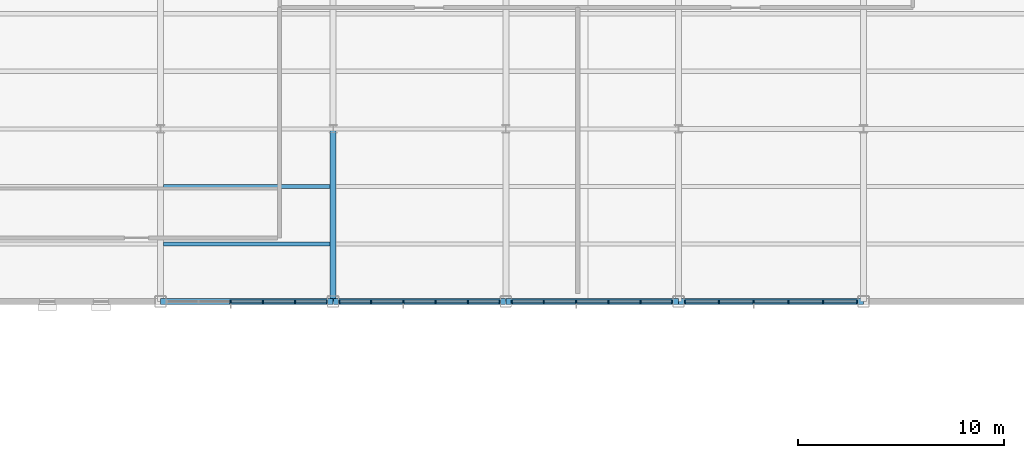
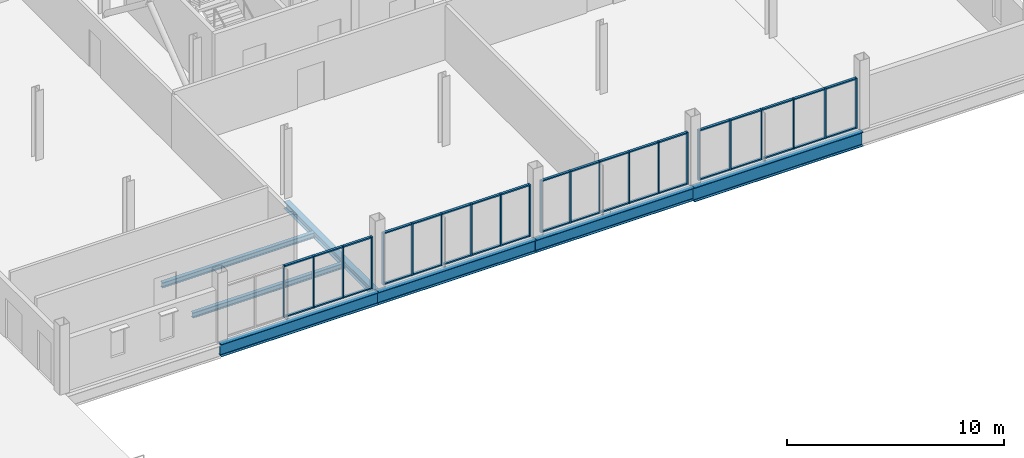
# One storey, part 40 of 77: 58 members, 7 beams, 4 elements without a shape of their own.
"""IFC4 building model written with IfcOpenShell, lengths in metres."""

from ifc_helpers import new_model, si_unit, direction, frame, origin, origin_2d, place, context, subcontext, project, spatial, rectangle, i_section, extrude, material, layer, layer_set, material_profile, profile_set, type_object, element, aggregate, save


model = new_model("IFC4")

# Units and contexts
model_context = context("Model", 3, precision=1e-05, world=origin(), true_north=direction((0.0, 1.0)))
body_context = subcontext(model_context, "Body", "Model", "MODEL_VIEW")
ifc_project = project(units=[si_unit("LENGTHUNIT", "METRE"), si_unit("AREAUNIT", "SQUARE_METRE"), si_unit("VOLUMEUNIT", "CUBIC_METRE"), si_unit("PLANEANGLEUNIT", "RADIAN"), si_unit("MASSUNIT", "GRAM", prefix="KILO")], contexts=[model_context])

# Site, building, storey
site_placement = place(None, origin())
site = spatial("IfcSite", under=ifc_project, at=site_placement, CompositionType="ELEMENT")
building_placement = place(site_placement, origin())
building = spatial("IfcBuilding", under=site, at=building_placement, Name="Yukiwa Park Conservatory and Herbarium", CompositionType="ELEMENT")
storey_placement = place(building_placement, frame((0.0, 0.0, 13.199951171875)))
storey = spatial("IfcBuildingStorey", under=building, at=storey_placement, Name="L03", CompositionType="ELEMENT", Elevation=13.199951171875)

# Beams
ifc_material_1 = material(Name="Steel Q355D", Category="steel")
ifc_material_profile_1 = material_profile(ifc_material_1, i_section(OverallWidth=0.300048828125, OverallDepth=0.389892578125, WebThickness=0.010009765625, FlangeThickness=0.01611328125, FilletRadius=0.02001953125, at=origin_2d()), Name="HM 390x300x10x16")
ifc_profile_set_1 = profile_set([ifc_material_profile_1], Name="Steel Q355D")
beam_type_1 = type_object("IfcBeamType", Name="BM-GRD-HM390", PredefinedType="BEAM", material=ifc_profile_set_1)
beam_1_placement = place(storey_placement, frame((133.199951171875, 78.006103515625, -0.4599609375), z_axis=(0.0, 1.0, 0.0), x_axis=(-1.0, 0.0, 0.0)))
element("IfcBeam", 1, at=beam_1_placement, inside=storey, type_object=beam_type_1, Name="L03 grid girder Y-97", PredefinedType="BEAM", context=body_context, shape_type="SweptSolid", body=[
    extrude(i_section(OverallWidth=0.300048828125, OverallDepth=0.389892578125, WebThickness=0.010009765625, FlangeThickness=0.01611328125, FilletRadius=0.02001953125, at=origin_2d()), origin(), (0.0, 0.0, 1.0), 8.387939453125),
])
ifc_material_2 = material(Name="Steel Q355D", Category="steel")
ifc_material_profile_2 = material_profile(ifc_material_2, i_section(OverallWidth=0.199951171875, OverallDepth=0.2939453125, WebThickness=0.008056640625, FlangeThickness=0.011962890625, FilletRadius=0.01806640625, at=origin_2d()), Name="HM 294x200x8x12")
ifc_profile_set_2 = profile_set([ifc_material_profile_2], Name="Steel Q355D")
beam_type_2 = type_object("IfcBeamType", Name="BM-JST-HM294", PredefinedType="JOIST", material=ifc_profile_set_2)
for number, where, z_axis, x_axis, name in (
    (2, (124.946044921875, 80.800048828125, -0.411865234375), (1.0, 0.0, 0.0), (0.0, 1.0, 0.0), "L03 composite floor joist 53"),
    (3, (124.946044921875, 83.60009765625, -0.411865234375), (1.0, 0.0, 0.0), (0.0, 1.0, 0.0), "L03 composite floor joist 54"),
):
    element("IfcBeam", number, at=place(storey_placement, frame(where, z_axis=z_axis, x_axis=x_axis)), inside=storey, type_object=beam_type_2, Name=name, PredefinedType="JOIST", context=body_context, shape_type="SweptSolid", body=[
        extrude(i_section(OverallWidth=0.199951171875, OverallDepth=0.2939453125, WebThickness=0.008056640625, FlangeThickness=0.011962890625, FilletRadius=0.01806640625, at=origin_2d()), origin(), (0.0, 0.0, 1.0), 8.10791015625),
    ])
ifc_material_3 = material(Name="Steel Q355D", Category="steel")
ifc_material_profile_3 = material_profile(ifc_material_3, i_section(OverallWidth=0.300048828125, OverallDepth=0.69189453125, WebThickness=0.012939453125, FlangeThickness=0.02001953125, FilletRadius=0.028076171875, at=origin_2d()), Name="HN 692x300x13x20")
ifc_profile_set_3 = profile_set([ifc_material_profile_3], Name="Steel Q355D")
beam_type_3 = type_object("IfcBeamType", Name="BM-SPN-HN550", PredefinedType="SPANDREL", material=ifc_profile_set_3)
beam_2_placement = place(storey_placement, frame((124.805908203125, 78.0, -0.61083984375), z_axis=(1.0, 0.0, 0.0), x_axis=(0.0, 1.0, 0.0)))
element("IfcBeam", 4, at=beam_2_placement, inside=storey, type_object=beam_type_3, Name="L03 spandrel beam X-31", PredefinedType="SPANDREL", context=body_context, shape_type="SweptSolid", body=[
    extrude(i_section(OverallWidth=0.300048828125, OverallDepth=0.69189453125, WebThickness=0.012939453125, FlangeThickness=0.02001953125, FilletRadius=0.028076171875, at=origin_2d()), origin(), (0.0, 0.0, 1.0), 8.38818359375),
])
for number, where, z_axis, x_axis, name in (
    (5, (133.2060546875, 78.0, -0.61083984375), (1.0, 0.0, 0.0), (0.0, 1.0, 0.0), "L03 spandrel beam X-32"),
    (6, (141.60595703125, 78.0, -0.61083984375), (1.0, 0.0, 0.0), (0.0, 1.0, 0.0), "L03 spandrel beam X-33"),
):
    element("IfcBeam", number, at=place(storey_placement, frame(where, z_axis=z_axis, x_axis=x_axis)), inside=storey, type_object=beam_type_3, Name=name, PredefinedType="SPANDREL", context=body_context, shape_type="SweptSolid", body=[
        extrude(i_section(OverallWidth=0.300048828125, OverallDepth=0.69189453125, WebThickness=0.012939453125, FlangeThickness=0.02001953125, FilletRadius=0.028076171875, at=origin_2d()), origin(), (0.0, 0.0, 1.0), 8.387939453125),
    ])
ifc_material_4 = material(Name="Steel Q355D", Category="steel")
ifc_material_profile_4 = material_profile(ifc_material_4, i_section(OverallWidth=0.300048828125, OverallDepth=0.7919921875, WebThickness=0.013916015625, FlangeThickness=0.02197265625, FilletRadius=0.028076171875, at=origin_2d()), Name="HN 792x300x14x22")
ifc_profile_set_4 = profile_set([ifc_material_profile_4], Name="Steel Q355D")
beam_type_4 = type_object("IfcBeamType", Name="BM-SPN-HN600", PredefinedType="SPANDREL", material=ifc_profile_set_4)
beam_3_placement = place(storey_placement, frame((150.006103515625, 78.0, -0.660888671875), z_axis=(1.0, 0.0, 0.0), x_axis=(0.0, 1.0, 0.0)))
element("IfcBeam", 7, at=beam_3_placement, inside=storey, type_object=beam_type_4, Name="L03 spandrel beam X-34", PredefinedType="SPANDREL", context=body_context, shape_type="SweptSolid", body=[
    extrude(i_section(OverallWidth=0.300048828125, OverallDepth=0.7919921875, WebThickness=0.013916015625, FlangeThickness=0.02197265625, FilletRadius=0.028076171875, at=origin_2d()), origin(), (0.0, 0.0, 1.0), 8.98779296875),
])

# Curtain wall, members
ifc_material_5 = material(Name="Triple Low-E Insulated Glass", Category="glass")
ifc_layer = layer(ifc_material_5, 0.199951171875)
ifc_layer_set = layer_set([ifc_layer], Name="Triple Low-E Insulated Glass")
curtain_wall_type = type_object("IfcCurtainWallType", Name="CW-VISITOR-1600", PredefinedType="NOTDEFINED", material=ifc_layer_set)
curtain_wall_1_placement = place(storey_placement, origin())
curtain_wall_1 = element("IfcCurtainWall", 8, at=curtain_wall_1_placement, inside=storey, type_object=curtain_wall_type, Name="L03 unitised curtain wall CW-L03-068", PredefinedType="NOTDEFINED")
ifc_material_6 = material(Name="Anodised Aluminium", Category="aluminium")
member_type_1 = type_object("IfcMemberType", Name="MB-CW-MUL-70X150", PredefinedType="MULLION", material=ifc_material_6)
member_1_placement = place(storey_placement, frame((128.215087890625, 78.0, 0.0), z_axis=(0.0, 0.0, 1.0), x_axis=(1.0, 0.0, 0.0)))
member_1 = element("IfcMember", 9, at=member_1_placement, type_object=member_type_1, Name="CW-L03-068 mullion 3", PredefinedType="MULLION", context=body_context, shape_type="SweptSolid", body=[
    extrude(rectangle(XDim=0.070068359375, YDim=0.14990234375, at=origin_2d()), origin(), (0.0, 0.0, 1.0), 2.927978515625),
])
member_2_placement = place(storey_placement, frame((129.784912109375, 78.0, 0.0), z_axis=(0.0, 0.0, 1.0), x_axis=(1.0, 0.0, 0.0)))
member_2 = element("IfcMember", 10, at=member_2_placement, type_object=member_type_1, Name="CW-L03-068 mullion 4", PredefinedType="MULLION", context=body_context, shape_type="SweptSolid", body=[
    extrude(rectangle(XDim=0.070068359375, YDim=0.14990234375, at=origin_2d()), origin(), (0.0, 0.0, 1.0), 2.927978515625),
])
member_3_placement = place(storey_placement, frame((131.35498046875, 78.0, 0.0), z_axis=(0.0, 0.0, 1.0), x_axis=(1.0, 0.0, 0.0)))
member_3 = element("IfcMember", 11, at=member_3_placement, type_object=member_type_1, Name="CW-L03-068 mullion 5", PredefinedType="MULLION", context=body_context, shape_type="SweptSolid", body=[
    extrude(rectangle(XDim=0.070068359375, YDim=0.14990234375, at=origin_2d()), origin(), (0.0, 0.0, 1.0), 2.927978515625),
])
member_4_placement = place(storey_placement, frame((132.889892578125, 78.0, 0.0), z_axis=(0.0, 0.0, 1.0), x_axis=(1.0, 0.0, 0.0)))
member_4 = element("IfcMember", 12, at=member_4_placement, type_object=member_type_1, Name="CW-L03-068 mullion 6", PredefinedType="MULLION", context=body_context, shape_type="SweptSolid", body=[
    extrude(rectangle(XDim=0.070068359375, YDim=0.14990234375, at=origin_2d()), origin(), (0.0, 0.0, 1.0), 2.927978515625),
])

curtain_wall_2_placement = place(storey_placement, origin())
curtain_wall_2 = element("IfcCurtainWall", 13, at=curtain_wall_2_placement, inside=storey, type_object=curtain_wall_type, Name="L03 unitised curtain wall CW-L03-069", PredefinedType="NOTDEFINED")
member_5_placement = place(storey_placement, frame((133.510009765625, 78.0, 0.0), z_axis=(0.0, 0.0, 1.0), x_axis=(1.0, 0.0, 0.0)))
member_5 = element("IfcMember", 14, at=member_5_placement, type_object=member_type_1, Name="CW-L03-069 mullion 1", PredefinedType="MULLION", context=body_context, shape_type="SweptSolid", body=[
    extrude(rectangle(XDim=0.070068359375, YDim=0.14990234375, at=origin_2d()), origin(), (0.0, 0.0, 1.0), 2.927978515625),
])
member_6_placement = place(storey_placement, frame((135.044921875, 78.0, 0.0), z_axis=(0.0, 0.0, 1.0), x_axis=(1.0, 0.0, 0.0)))
member_6 = element("IfcMember", 15, at=member_6_placement, type_object=member_type_1, Name="CW-L03-069 mullion 2", PredefinedType="MULLION", context=body_context, shape_type="SweptSolid", body=[
    extrude(rectangle(XDim=0.070068359375, YDim=0.14990234375, at=origin_2d()), origin(), (0.0, 0.0, 1.0), 2.927978515625),
])
member_7_placement = place(storey_placement, frame((136.614990234375, 78.0, 0.0), z_axis=(0.0, 0.0, 1.0), x_axis=(1.0, 0.0, 0.0)))
member_7 = element("IfcMember", 16, at=member_7_placement, type_object=member_type_1, Name="CW-L03-069 mullion 3", PredefinedType="MULLION", context=body_context, shape_type="SweptSolid", body=[
    extrude(rectangle(XDim=0.070068359375, YDim=0.14990234375, at=origin_2d()), origin(), (0.0, 0.0, 1.0), 2.927978515625),
])
member_8_placement = place(storey_placement, frame((138.18505859375, 78.0, 0.0), z_axis=(0.0, 0.0, 1.0), x_axis=(1.0, 0.0, 0.0)))
member_8 = element("IfcMember", 17, at=member_8_placement, type_object=member_type_1, Name="CW-L03-069 mullion 4", PredefinedType="MULLION", context=body_context, shape_type="SweptSolid", body=[
    extrude(rectangle(XDim=0.070068359375, YDim=0.14990234375, at=origin_2d()), origin(), (0.0, 0.0, 1.0), 2.927978515625),
])
member_9_placement = place(storey_placement, frame((139.7548828125, 78.0, 0.0), z_axis=(0.0, 0.0, 1.0), x_axis=(1.0, 0.0, 0.0)))
member_9 = element("IfcMember", 18, at=member_9_placement, type_object=member_type_1, Name="CW-L03-069 mullion 5", PredefinedType="MULLION", context=body_context, shape_type="SweptSolid", body=[
    extrude(rectangle(XDim=0.070068359375, YDim=0.14990234375, at=origin_2d()), origin(), (0.0, 0.0, 1.0), 2.927978515625),
])
member_10_placement = place(storey_placement, frame((141.2900390625, 78.0, 0.0), z_axis=(0.0, 0.0, 1.0), x_axis=(1.0, 0.0, 0.0)))
member_10 = element("IfcMember", 19, at=member_10_placement, type_object=member_type_1, Name="CW-L03-069 mullion 6", PredefinedType="MULLION", context=body_context, shape_type="SweptSolid", body=[
    extrude(rectangle(XDim=0.070068359375, YDim=0.14990234375, at=origin_2d()), origin(), (0.0, 0.0, 1.0), 2.927978515625),
])

curtain_wall_3_placement = place(storey_placement, origin())
curtain_wall_3 = element("IfcCurtainWall", 20, at=curtain_wall_3_placement, inside=storey, type_object=curtain_wall_type, Name="L03 unitised curtain wall CW-L03-070", PredefinedType="NOTDEFINED")
member_11_placement = place(storey_placement, frame((141.909912109375, 78.0, 0.0), z_axis=(0.0, 0.0, 1.0), x_axis=(1.0, 0.0, 0.0)))
member_11 = element("IfcMember", 21, at=member_11_placement, type_object=member_type_1, Name="CW-L03-070 mullion 1", PredefinedType="MULLION", context=body_context, shape_type="SweptSolid", body=[
    extrude(rectangle(XDim=0.070068359375, YDim=0.14990234375, at=origin_2d()), origin(), (0.0, 0.0, 1.0), 2.927978515625),
])
member_12_placement = place(storey_placement, frame((143.445068359375, 78.0, 0.0), z_axis=(0.0, 0.0, 1.0), x_axis=(1.0, 0.0, 0.0)))
member_12 = element("IfcMember", 22, at=member_12_placement, type_object=member_type_1, Name="CW-L03-070 mullion 2", PredefinedType="MULLION", context=body_context, shape_type="SweptSolid", body=[
    extrude(rectangle(XDim=0.070068359375, YDim=0.14990234375, at=origin_2d()), origin(), (0.0, 0.0, 1.0), 2.927978515625),
])
member_13_placement = place(storey_placement, frame((145.014892578125, 78.0, 0.0), z_axis=(0.0, 0.0, 1.0), x_axis=(1.0, 0.0, 0.0)))
member_13 = element("IfcMember", 23, at=member_13_placement, type_object=member_type_1, Name="CW-L03-070 mullion 3", PredefinedType="MULLION", context=body_context, shape_type="SweptSolid", body=[
    extrude(rectangle(XDim=0.070068359375, YDim=0.14990234375, at=origin_2d()), origin(), (0.0, 0.0, 1.0), 2.927978515625),
])
member_14_placement = place(storey_placement, frame((146.5849609375, 78.0, 0.0), z_axis=(0.0, 0.0, 1.0), x_axis=(1.0, 0.0, 0.0)))
member_14 = element("IfcMember", 24, at=member_14_placement, type_object=member_type_1, Name="CW-L03-070 mullion 4", PredefinedType="MULLION", context=body_context, shape_type="SweptSolid", body=[
    extrude(rectangle(XDim=0.070068359375, YDim=0.14990234375, at=origin_2d()), origin(), (0.0, 0.0, 1.0), 2.927978515625),
])
member_15_placement = place(storey_placement, frame((148.155029296875, 78.0, 0.0), z_axis=(0.0, 0.0, 1.0), x_axis=(1.0, 0.0, 0.0)))
member_15 = element("IfcMember", 25, at=member_15_placement, type_object=member_type_1, Name="CW-L03-070 mullion 5", PredefinedType="MULLION", context=body_context, shape_type="SweptSolid", body=[
    extrude(rectangle(XDim=0.070068359375, YDim=0.14990234375, at=origin_2d()), origin(), (0.0, 0.0, 1.0), 2.927978515625),
])
member_16_placement = place(storey_placement, frame((149.68994140625, 78.0, 0.0), z_axis=(0.0, 0.0, 1.0), x_axis=(1.0, 0.0, 0.0)))
member_16 = element("IfcMember", 26, at=member_16_placement, type_object=member_type_1, Name="CW-L03-070 mullion 6", PredefinedType="MULLION", context=body_context, shape_type="SweptSolid", body=[
    extrude(rectangle(XDim=0.070068359375, YDim=0.14990234375, at=origin_2d()), origin(), (0.0, 0.0, 1.0), 2.927978515625),
])

curtain_wall_4_placement = place(storey_placement, origin())
curtain_wall_4 = element("IfcCurtainWall", 27, at=curtain_wall_4_placement, inside=storey, type_object=curtain_wall_type, Name="L03 unitised curtain wall CW-L03-071", PredefinedType="NOTDEFINED")
member_17_placement = place(storey_placement, frame((150.31005859375, 78.0, 0.0), z_axis=(0.0, 0.0, 1.0), x_axis=(1.0, 0.0, 0.0)))
member_17 = element("IfcMember", 28, at=member_17_placement, type_object=member_type_1, Name="CW-L03-071 mullion 1", PredefinedType="MULLION", context=body_context, shape_type="SweptSolid", body=[
    extrude(rectangle(XDim=0.070068359375, YDim=0.14990234375, at=origin_2d()), origin(), (0.0, 0.0, 1.0), 2.827880859375),
])
member_18_placement = place(storey_placement, frame((151.965087890625, 78.0, 0.0), z_axis=(0.0, 0.0, 1.0), x_axis=(1.0, 0.0, 0.0)))
member_18 = element("IfcMember", 29, at=member_18_placement, type_object=member_type_1, Name="CW-L03-071 mullion 2", PredefinedType="MULLION", context=body_context, shape_type="SweptSolid", body=[
    extrude(rectangle(XDim=0.070068359375, YDim=0.14990234375, at=origin_2d()), origin(), (0.0, 0.0, 1.0), 2.827880859375),
])
member_19_placement = place(storey_placement, frame((153.655029296875, 78.0, 0.0), z_axis=(0.0, 0.0, 1.0), x_axis=(1.0, 0.0, 0.0)))
member_19 = element("IfcMember", 30, at=member_19_placement, type_object=member_type_1, Name="CW-L03-071 mullion 3", PredefinedType="MULLION", context=body_context, shape_type="SweptSolid", body=[
    extrude(rectangle(XDim=0.070068359375, YDim=0.14990234375, at=origin_2d()), origin(), (0.0, 0.0, 1.0), 2.827880859375),
])
member_20_placement = place(storey_placement, frame((155.344970703125, 78.0, 0.0), z_axis=(0.0, 0.0, 1.0), x_axis=(1.0, 0.0, 0.0)))
member_20 = element("IfcMember", 31, at=member_20_placement, type_object=member_type_1, Name="CW-L03-071 mullion 4", PredefinedType="MULLION", context=body_context, shape_type="SweptSolid", body=[
    extrude(rectangle(XDim=0.070068359375, YDim=0.14990234375, at=origin_2d()), origin(), (0.0, 0.0, 1.0), 2.827880859375),
])
member_21_placement = place(storey_placement, frame((157.034912109375, 78.0, 0.0), z_axis=(0.0, 0.0, 1.0), x_axis=(1.0, 0.0, 0.0)))
member_21 = element("IfcMember", 32, at=member_21_placement, type_object=member_type_1, Name="CW-L03-071 mullion 5", PredefinedType="MULLION", context=body_context, shape_type="SweptSolid", body=[
    extrude(rectangle(XDim=0.070068359375, YDim=0.14990234375, at=origin_2d()), origin(), (0.0, 0.0, 1.0), 2.827880859375),
])
member_22_placement = place(storey_placement, frame((158.68994140625, 78.0, 0.0), z_axis=(0.0, 0.0, 1.0), x_axis=(1.0, 0.0, 0.0)))
member_22 = element("IfcMember", 33, at=member_22_placement, type_object=member_type_1, Name="CW-L03-071 mullion 6", PredefinedType="MULLION", context=body_context, shape_type="SweptSolid", body=[
    extrude(rectangle(XDim=0.070068359375, YDim=0.14990234375, at=origin_2d()), origin(), (0.0, 0.0, 1.0), 2.827880859375),
])

# Member
ifc_material_7 = material(Name="Anodised Aluminium", Category="aluminium")
member_type_2 = type_object("IfcMemberType", Name="MB-CW-TRN-70X130", PredefinedType="USERDEFINED", material=ifc_material_7)
member_23_placement = place(storey_placement, frame((129.0, 78.0, 0.0), z_axis=(0.0, 0.0, 1.0), x_axis=(1.0, 0.0, 0.0)))
member_23 = element("IfcMember", 34, at=member_23_placement, type_object=member_type_2, Name="CW-L03-068 transom 3.1", ObjectType="TRANSOM", PredefinedType="USERDEFINED", context=body_context, shape_type="SweptSolid", body=[
    extrude(rectangle(XDim=1.5, YDim=0.1298828125, at=origin_2d()), origin(), (0.0, 0.0, 1.0), 0.070068359375),
])

member_24_placement = place(storey_placement, frame((129.0, 78.0, 2.85791015625), z_axis=(0.0, 0.0, 1.0), x_axis=(1.0, 0.0, 0.0)))
member_24 = element("IfcMember", 35, at=member_24_placement, type_object=member_type_2, Name="CW-L03-068 transom 3.2", ObjectType="TRANSOM", PredefinedType="USERDEFINED", context=body_context, shape_type="SweptSolid", body=[
    extrude(rectangle(XDim=1.5, YDim=0.1298828125, at=origin_2d()), origin(), (0.0, 0.0, 1.0), 0.070068359375),
])

member_25_placement = place(storey_placement, frame((130.570068359375, 78.0, 0.0), z_axis=(0.0, 0.0, 1.0), x_axis=(1.0, 0.0, 0.0)))
member_25 = element("IfcMember", 36, at=member_25_placement, type_object=member_type_2, Name="CW-L03-068 transom 4.1", ObjectType="TRANSOM", PredefinedType="USERDEFINED", context=body_context, shape_type="SweptSolid", body=[
    extrude(rectangle(XDim=1.5, YDim=0.1298828125, at=origin_2d()), origin(), (0.0, 0.0, 1.0), 0.070068359375),
])

member_26_placement = place(storey_placement, frame((130.570068359375, 78.0, 2.85791015625), z_axis=(0.0, 0.0, 1.0), x_axis=(1.0, 0.0, 0.0)))
member_26 = element("IfcMember", 37, at=member_26_placement, type_object=member_type_2, Name="CW-L03-068 transom 4.2", ObjectType="TRANSOM", PredefinedType="USERDEFINED", context=body_context, shape_type="SweptSolid", body=[
    extrude(rectangle(XDim=1.5, YDim=0.1298828125, at=origin_2d()), origin(), (0.0, 0.0, 1.0), 0.070068359375),
])

member_27_placement = place(storey_placement, frame((132.139892578125, 78.0, 0.0), z_axis=(0.0, 0.0, 1.0), x_axis=(1.0, 0.0, 0.0)))
member_27 = element("IfcMember", 38, at=member_27_placement, type_object=member_type_2, Name="CW-L03-068 transom 5.1", ObjectType="TRANSOM", PredefinedType="USERDEFINED", context=body_context, shape_type="SweptSolid", body=[
    extrude(rectangle(XDim=1.5, YDim=0.1298828125, at=origin_2d()), origin(), (0.0, 0.0, 1.0), 0.070068359375),
])

member_28_placement = place(storey_placement, frame((132.139892578125, 78.0, 2.85791015625), z_axis=(0.0, 0.0, 1.0), x_axis=(1.0, 0.0, 0.0)))
member_28 = element("IfcMember", 39, at=member_28_placement, type_object=member_type_2, Name="CW-L03-068 transom 5.2", ObjectType="TRANSOM", PredefinedType="USERDEFINED", context=body_context, shape_type="SweptSolid", body=[
    extrude(rectangle(XDim=1.5, YDim=0.1298828125, at=origin_2d()), origin(), (0.0, 0.0, 1.0), 0.070068359375),
])

aggregate(curtain_wall_1, [member_1, member_2, member_3, member_4, member_23, member_24, member_25, member_26, member_27, member_28])

member_29_placement = place(storey_placement, frame((134.260009765625, 78.0, 0.0), z_axis=(0.0, 0.0, 1.0), x_axis=(1.0, 0.0, 0.0)))
member_29 = element("IfcMember", 40, at=member_29_placement, type_object=member_type_2, Name="CW-L03-069 transom 1.1", ObjectType="TRANSOM", PredefinedType="USERDEFINED", context=body_context, shape_type="SweptSolid", body=[
    extrude(rectangle(XDim=1.5, YDim=0.1298828125, at=origin_2d()), origin(), (0.0, 0.0, 1.0), 0.070068359375),
])

member_30_placement = place(storey_placement, frame((134.260009765625, 78.0, 2.85791015625), z_axis=(0.0, 0.0, 1.0), x_axis=(1.0, 0.0, 0.0)))
member_30 = element("IfcMember", 41, at=member_30_placement, type_object=member_type_2, Name="CW-L03-069 transom 1.2", ObjectType="TRANSOM", PredefinedType="USERDEFINED", context=body_context, shape_type="SweptSolid", body=[
    extrude(rectangle(XDim=1.5, YDim=0.1298828125, at=origin_2d()), origin(), (0.0, 0.0, 1.0), 0.070068359375),
])

member_31_placement = place(storey_placement, frame((135.830078125, 78.0, 0.0), z_axis=(0.0, 0.0, 1.0), x_axis=(1.0, 0.0, 0.0)))
member_31 = element("IfcMember", 42, at=member_31_placement, type_object=member_type_2, Name="CW-L03-069 transom 2.1", ObjectType="TRANSOM", PredefinedType="USERDEFINED", context=body_context, shape_type="SweptSolid", body=[
    extrude(rectangle(XDim=1.5, YDim=0.1298828125, at=origin_2d()), origin(), (0.0, 0.0, 1.0), 0.070068359375),
])

member_32_placement = place(storey_placement, frame((135.830078125, 78.0, 2.85791015625), z_axis=(0.0, 0.0, 1.0), x_axis=(1.0, 0.0, 0.0)))
member_32 = element("IfcMember", 43, at=member_32_placement, type_object=member_type_2, Name="CW-L03-069 transom 2.2", ObjectType="TRANSOM", PredefinedType="USERDEFINED", context=body_context, shape_type="SweptSolid", body=[
    extrude(rectangle(XDim=1.5, YDim=0.1298828125, at=origin_2d()), origin(), (0.0, 0.0, 1.0), 0.070068359375),
])

member_33_placement = place(storey_placement, frame((137.39990234375, 78.0, 0.0), z_axis=(0.0, 0.0, 1.0), x_axis=(1.0, 0.0, 0.0)))
member_33 = element("IfcMember", 44, at=member_33_placement, type_object=member_type_2, Name="CW-L03-069 transom 3.1", ObjectType="TRANSOM", PredefinedType="USERDEFINED", context=body_context, shape_type="SweptSolid", body=[
    extrude(rectangle(XDim=1.5, YDim=0.1298828125, at=origin_2d()), origin(), (0.0, 0.0, 1.0), 0.070068359375),
])

member_34_placement = place(storey_placement, frame((137.39990234375, 78.0, 2.85791015625), z_axis=(0.0, 0.0, 1.0), x_axis=(1.0, 0.0, 0.0)))
member_34 = element("IfcMember", 45, at=member_34_placement, type_object=member_type_2, Name="CW-L03-069 transom 3.2", ObjectType="TRANSOM", PredefinedType="USERDEFINED", context=body_context, shape_type="SweptSolid", body=[
    extrude(rectangle(XDim=1.5, YDim=0.1298828125, at=origin_2d()), origin(), (0.0, 0.0, 1.0), 0.070068359375),
])

member_35_placement = place(storey_placement, frame((138.969970703125, 78.0, 0.0), z_axis=(0.0, 0.0, 1.0), x_axis=(1.0, 0.0, 0.0)))
member_35 = element("IfcMember", 46, at=member_35_placement, type_object=member_type_2, Name="CW-L03-069 transom 4.1", ObjectType="TRANSOM", PredefinedType="USERDEFINED", context=body_context, shape_type="SweptSolid", body=[
    extrude(rectangle(XDim=1.5, YDim=0.1298828125, at=origin_2d()), origin(), (0.0, 0.0, 1.0), 0.070068359375),
])

member_36_placement = place(storey_placement, frame((138.969970703125, 78.0, 2.85791015625), z_axis=(0.0, 0.0, 1.0), x_axis=(1.0, 0.0, 0.0)))
member_36 = element("IfcMember", 47, at=member_36_placement, type_object=member_type_2, Name="CW-L03-069 transom 4.2", ObjectType="TRANSOM", PredefinedType="USERDEFINED", context=body_context, shape_type="SweptSolid", body=[
    extrude(rectangle(XDim=1.5, YDim=0.1298828125, at=origin_2d()), origin(), (0.0, 0.0, 1.0), 0.070068359375),
])

member_37_placement = place(storey_placement, frame((140.5400390625, 78.0, 0.0), z_axis=(0.0, 0.0, 1.0), x_axis=(1.0, 0.0, 0.0)))
member_37 = element("IfcMember", 48, at=member_37_placement, type_object=member_type_2, Name="CW-L03-069 transom 5.1", ObjectType="TRANSOM", PredefinedType="USERDEFINED", context=body_context, shape_type="SweptSolid", body=[
    extrude(rectangle(XDim=1.5, YDim=0.1298828125, at=origin_2d()), origin(), (0.0, 0.0, 1.0), 0.070068359375),
])

member_38_placement = place(storey_placement, frame((140.5400390625, 78.0, 2.85791015625), z_axis=(0.0, 0.0, 1.0), x_axis=(1.0, 0.0, 0.0)))
member_38 = element("IfcMember", 49, at=member_38_placement, type_object=member_type_2, Name="CW-L03-069 transom 5.2", ObjectType="TRANSOM", PredefinedType="USERDEFINED", context=body_context, shape_type="SweptSolid", body=[
    extrude(rectangle(XDim=1.5, YDim=0.1298828125, at=origin_2d()), origin(), (0.0, 0.0, 1.0), 0.070068359375),
])

aggregate(curtain_wall_2, [member_5, member_6, member_7, member_8, member_9, member_10, member_29, member_30, member_31, member_32, member_33, member_34, member_35, member_36, member_37, member_38])

member_39_placement = place(storey_placement, frame((142.659912109375, 78.0, 0.0), z_axis=(0.0, 0.0, 1.0), x_axis=(1.0, 0.0, 0.0)))
member_39 = element("IfcMember", 50, at=member_39_placement, type_object=member_type_2, Name="CW-L03-070 transom 1.1", ObjectType="TRANSOM", PredefinedType="USERDEFINED", context=body_context, shape_type="SweptSolid", body=[
    extrude(rectangle(XDim=1.5, YDim=0.1298828125, at=origin_2d()), origin(), (0.0, 0.0, 1.0), 0.070068359375),
])

member_40_placement = place(storey_placement, frame((142.659912109375, 78.0, 2.85791015625), z_axis=(0.0, 0.0, 1.0), x_axis=(1.0, 0.0, 0.0)))
member_40 = element("IfcMember", 51, at=member_40_placement, type_object=member_type_2, Name="CW-L03-070 transom 1.2", ObjectType="TRANSOM", PredefinedType="USERDEFINED", context=body_context, shape_type="SweptSolid", body=[
    extrude(rectangle(XDim=1.5, YDim=0.1298828125, at=origin_2d()), origin(), (0.0, 0.0, 1.0), 0.070068359375),
])

member_41_placement = place(storey_placement, frame((144.22998046875, 78.0, 0.0), z_axis=(0.0, 0.0, 1.0), x_axis=(1.0, 0.0, 0.0)))
member_41 = element("IfcMember", 52, at=member_41_placement, type_object=member_type_2, Name="CW-L03-070 transom 2.1", ObjectType="TRANSOM", PredefinedType="USERDEFINED", context=body_context, shape_type="SweptSolid", body=[
    extrude(rectangle(XDim=1.5, YDim=0.1298828125, at=origin_2d()), origin(), (0.0, 0.0, 1.0), 0.070068359375),
])

member_42_placement = place(storey_placement, frame((144.22998046875, 78.0, 2.85791015625), z_axis=(0.0, 0.0, 1.0), x_axis=(1.0, 0.0, 0.0)))
member_42 = element("IfcMember", 53, at=member_42_placement, type_object=member_type_2, Name="CW-L03-070 transom 2.2", ObjectType="TRANSOM", PredefinedType="USERDEFINED", context=body_context, shape_type="SweptSolid", body=[
    extrude(rectangle(XDim=1.5, YDim=0.1298828125, at=origin_2d()), origin(), (0.0, 0.0, 1.0), 0.070068359375),
])

member_43_placement = place(storey_placement, frame((145.800048828125, 78.0, 0.0), z_axis=(0.0, 0.0, 1.0), x_axis=(1.0, 0.0, 0.0)))
member_43 = element("IfcMember", 54, at=member_43_placement, type_object=member_type_2, Name="CW-L03-070 transom 3.1", ObjectType="TRANSOM", PredefinedType="USERDEFINED", context=body_context, shape_type="SweptSolid", body=[
    extrude(rectangle(XDim=1.5, YDim=0.1298828125, at=origin_2d()), origin(), (0.0, 0.0, 1.0), 0.070068359375),
])

member_44_placement = place(storey_placement, frame((145.800048828125, 78.0, 2.85791015625), z_axis=(0.0, 0.0, 1.0), x_axis=(1.0, 0.0, 0.0)))
member_44 = element("IfcMember", 55, at=member_44_placement, type_object=member_type_2, Name="CW-L03-070 transom 3.2", ObjectType="TRANSOM", PredefinedType="USERDEFINED", context=body_context, shape_type="SweptSolid", body=[
    extrude(rectangle(XDim=1.5, YDim=0.1298828125, at=origin_2d()), origin(), (0.0, 0.0, 1.0), 0.070068359375),
])

member_45_placement = place(storey_placement, frame((147.3701171875, 78.0, 0.0), z_axis=(0.0, 0.0, 1.0), x_axis=(1.0, 0.0, 0.0)))
member_45 = element("IfcMember", 56, at=member_45_placement, type_object=member_type_2, Name="CW-L03-070 transom 4.1", ObjectType="TRANSOM", PredefinedType="USERDEFINED", context=body_context, shape_type="SweptSolid", body=[
    extrude(rectangle(XDim=1.5, YDim=0.1298828125, at=origin_2d()), origin(), (0.0, 0.0, 1.0), 0.070068359375),
])

member_46_placement = place(storey_placement, frame((147.3701171875, 78.0, 2.85791015625), z_axis=(0.0, 0.0, 1.0), x_axis=(1.0, 0.0, 0.0)))
member_46 = element("IfcMember", 57, at=member_46_placement, type_object=member_type_2, Name="CW-L03-070 transom 4.2", ObjectType="TRANSOM", PredefinedType="USERDEFINED", context=body_context, shape_type="SweptSolid", body=[
    extrude(rectangle(XDim=1.5, YDim=0.1298828125, at=origin_2d()), origin(), (0.0, 0.0, 1.0), 0.070068359375),
])

member_47_placement = place(storey_placement, frame((148.93994140625, 78.0, 0.0), z_axis=(0.0, 0.0, 1.0), x_axis=(1.0, 0.0, 0.0)))
member_47 = element("IfcMember", 58, at=member_47_placement, type_object=member_type_2, Name="CW-L03-070 transom 5.1", ObjectType="TRANSOM", PredefinedType="USERDEFINED", context=body_context, shape_type="SweptSolid", body=[
    extrude(rectangle(XDim=1.5, YDim=0.1298828125, at=origin_2d()), origin(), (0.0, 0.0, 1.0), 0.070068359375),
])

member_48_placement = place(storey_placement, frame((148.93994140625, 78.0, 2.85791015625), z_axis=(0.0, 0.0, 1.0), x_axis=(1.0, 0.0, 0.0)))
member_48 = element("IfcMember", 59, at=member_48_placement, type_object=member_type_2, Name="CW-L03-070 transom 5.2", ObjectType="TRANSOM", PredefinedType="USERDEFINED", context=body_context, shape_type="SweptSolid", body=[
    extrude(rectangle(XDim=1.5, YDim=0.1298828125, at=origin_2d()), origin(), (0.0, 0.0, 1.0), 0.070068359375),
])

aggregate(curtain_wall_3, [member_11, member_12, member_13, member_14, member_15, member_16, member_39, member_40, member_41, member_42, member_43, member_44, member_45, member_46, member_47, member_48])

member_49_placement = place(storey_placement, frame((151.1201171875, 78.0, 0.0), z_axis=(0.0, 0.0, 1.0), x_axis=(1.0, 0.0, 0.0)))
member_49 = element("IfcMember", 60, at=member_49_placement, type_object=member_type_2, Name="CW-L03-071 transom 1.1", ObjectType="TRANSOM", PredefinedType="USERDEFINED", context=body_context, shape_type="SweptSolid", body=[
    extrude(rectangle(XDim=1.6201171875, YDim=0.1298828125, at=origin_2d()), origin(), (0.0, 0.0, 1.0), 0.070068359375),
])

member_50_placement = place(storey_placement, frame((151.1201171875, 78.0, 2.7578125), z_axis=(0.0, 0.0, 1.0), x_axis=(1.0, 0.0, 0.0)))
member_50 = element("IfcMember", 61, at=member_50_placement, type_object=member_type_2, Name="CW-L03-071 transom 1.2", ObjectType="TRANSOM", PredefinedType="USERDEFINED", context=body_context, shape_type="SweptSolid", body=[
    extrude(rectangle(XDim=1.6201171875, YDim=0.1298828125, at=origin_2d()), origin(), (0.0, 0.0, 1.0), 0.070068359375),
])

member_51_placement = place(storey_placement, frame((152.81005859375, 78.0, 0.0), z_axis=(0.0, 0.0, 1.0), x_axis=(1.0, 0.0, 0.0)))
member_51 = element("IfcMember", 62, at=member_51_placement, type_object=member_type_2, Name="CW-L03-071 transom 2.1", ObjectType="TRANSOM", PredefinedType="USERDEFINED", context=body_context, shape_type="SweptSolid", body=[
    extrude(rectangle(XDim=1.6201171875, YDim=0.1298828125, at=origin_2d()), origin(), (0.0, 0.0, 1.0), 0.070068359375),
])

member_52_placement = place(storey_placement, frame((152.81005859375, 78.0, 2.7578125), z_axis=(0.0, 0.0, 1.0), x_axis=(1.0, 0.0, 0.0)))
member_52 = element("IfcMember", 63, at=member_52_placement, type_object=member_type_2, Name="CW-L03-071 transom 2.2", ObjectType="TRANSOM", PredefinedType="USERDEFINED", context=body_context, shape_type="SweptSolid", body=[
    extrude(rectangle(XDim=1.6201171875, YDim=0.1298828125, at=origin_2d()), origin(), (0.0, 0.0, 1.0), 0.070068359375),
])

member_53_placement = place(storey_placement, frame((154.5, 78.0, 0.0), z_axis=(0.0, 0.0, 1.0), x_axis=(1.0, 0.0, 0.0)))
member_53 = element("IfcMember", 64, at=member_53_placement, type_object=member_type_2, Name="CW-L03-071 transom 3.1", ObjectType="TRANSOM", PredefinedType="USERDEFINED", context=body_context, shape_type="SweptSolid", body=[
    extrude(rectangle(XDim=1.6201171875, YDim=0.1298828125, at=origin_2d()), origin(), (0.0, 0.0, 1.0), 0.070068359375),
])

member_54_placement = place(storey_placement, frame((154.5, 78.0, 2.7578125), z_axis=(0.0, 0.0, 1.0), x_axis=(1.0, 0.0, 0.0)))
member_54 = element("IfcMember", 65, at=member_54_placement, type_object=member_type_2, Name="CW-L03-071 transom 3.2", ObjectType="TRANSOM", PredefinedType="USERDEFINED", context=body_context, shape_type="SweptSolid", body=[
    extrude(rectangle(XDim=1.6201171875, YDim=0.1298828125, at=origin_2d()), origin(), (0.0, 0.0, 1.0), 0.070068359375),
])

member_55_placement = place(storey_placement, frame((156.18994140625, 78.0, 0.0), z_axis=(0.0, 0.0, 1.0), x_axis=(1.0, 0.0, 0.0)))
member_55 = element("IfcMember", 66, at=member_55_placement, type_object=member_type_2, Name="CW-L03-071 transom 4.1", ObjectType="TRANSOM", PredefinedType="USERDEFINED", context=body_context, shape_type="SweptSolid", body=[
    extrude(rectangle(XDim=1.6201171875, YDim=0.1298828125, at=origin_2d()), origin(), (0.0, 0.0, 1.0), 0.070068359375),
])

member_56_placement = place(storey_placement, frame((156.18994140625, 78.0, 2.7578125), z_axis=(0.0, 0.0, 1.0), x_axis=(1.0, 0.0, 0.0)))
member_56 = element("IfcMember", 67, at=member_56_placement, type_object=member_type_2, Name="CW-L03-071 transom 4.2", ObjectType="TRANSOM", PredefinedType="USERDEFINED", context=body_context, shape_type="SweptSolid", body=[
    extrude(rectangle(XDim=1.6201171875, YDim=0.1298828125, at=origin_2d()), origin(), (0.0, 0.0, 1.0), 0.070068359375),
])

member_57_placement = place(storey_placement, frame((157.8798828125, 78.0, 0.0), z_axis=(0.0, 0.0, 1.0), x_axis=(1.0, 0.0, 0.0)))
member_57 = element("IfcMember", 68, at=member_57_placement, type_object=member_type_2, Name="CW-L03-071 transom 5.1", ObjectType="TRANSOM", PredefinedType="USERDEFINED", context=body_context, shape_type="SweptSolid", body=[
    extrude(rectangle(XDim=1.6201171875, YDim=0.1298828125, at=origin_2d()), origin(), (0.0, 0.0, 1.0), 0.070068359375),
])

member_58_placement = place(storey_placement, frame((157.8798828125, 78.0, 2.7578125), z_axis=(0.0, 0.0, 1.0), x_axis=(1.0, 0.0, 0.0)))
member_58 = element("IfcMember", 69, at=member_58_placement, type_object=member_type_2, Name="CW-L03-071 transom 5.2", ObjectType="TRANSOM", PredefinedType="USERDEFINED", context=body_context, shape_type="SweptSolid", body=[
    extrude(rectangle(XDim=1.6201171875, YDim=0.1298828125, at=origin_2d()), origin(), (0.0, 0.0, 1.0), 0.070068359375),
])

aggregate(curtain_wall_4, [member_17, member_18, member_19, member_20, member_21, member_22, member_49, member_50, member_51, member_52, member_53, member_54, member_55, member_56, member_57, member_58])

save(model, "model.ifc")
